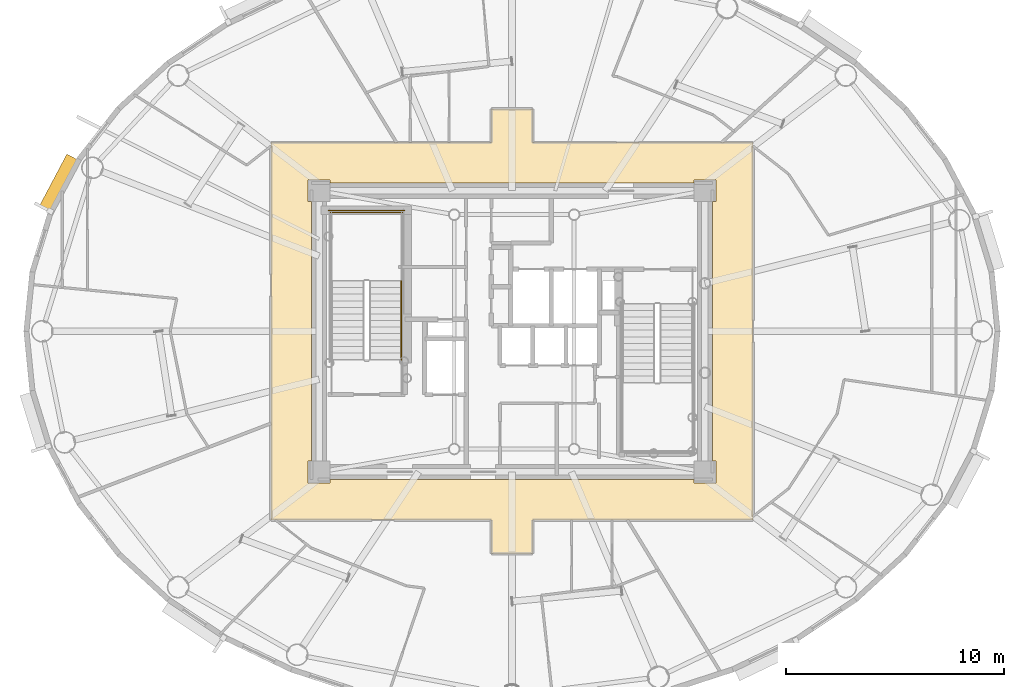
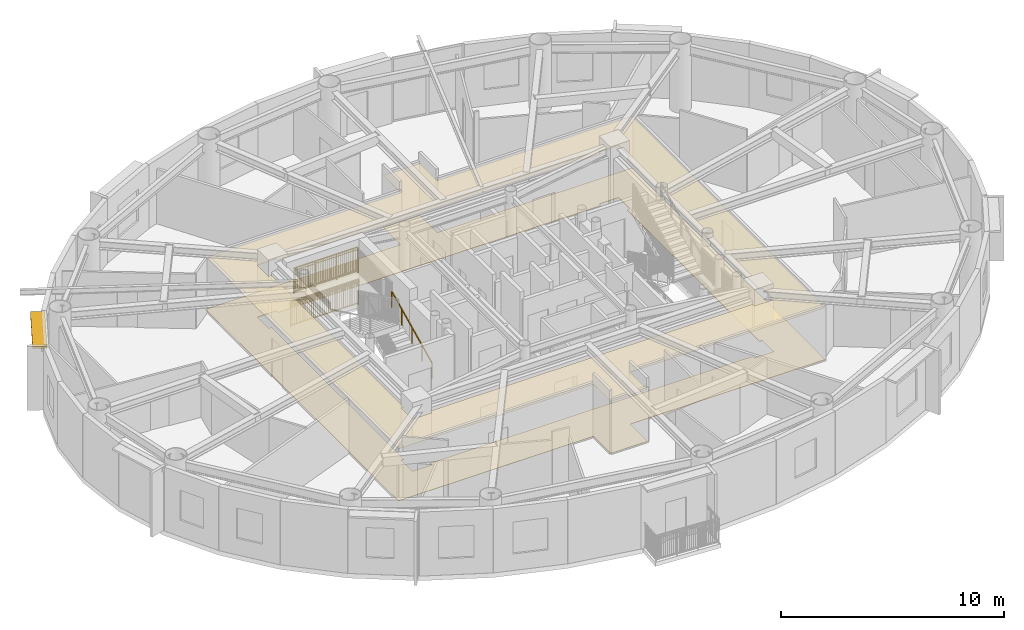
# One storey, part 17 of 20: 3 railings, 2 coverings, 1 shading device.
"""IFC4 building model written with IfcOpenShell, lengths in metres."""

from ifc_helpers import new_model, si_unit, direction, frame, origin, origin_2d, place, context, subcontext, project, spatial, polyline, rectangle, outline, extrude, source, transform, mapped, material, layer, layer_set, type_object, element, save


model = new_model("IFC4")

# Units and contexts
model_context = context("Model", 3, precision=1e-05, world=origin(), true_north=direction((0.0, 1.0)))
body_context = subcontext(model_context, "Body", "Model", "MODEL_VIEW")
ifc_project = project(units=[si_unit("LENGTHUNIT", "METRE"), si_unit("AREAUNIT", "SQUARE_METRE"), si_unit("VOLUMEUNIT", "CUBIC_METRE"), si_unit("PLANEANGLEUNIT", "RADIAN"), si_unit("MASSUNIT", "GRAM", prefix="KILO")], contexts=[model_context])

# Site, building, storey
site_placement = place(None, origin())
site = spatial("IfcSite", under=ifc_project, at=site_placement, CompositionType="ELEMENT")
building_placement = place(site_placement, origin())
building = spatial("IfcBuilding", under=site, at=building_placement, Name="Linh Dai School and Residence Tower", CompositionType="ELEMENT")
storey_placement = place(building_placement, frame((0.0, 0.0, 288.0)))
storey = spatial("IfcBuildingStorey", under=building, at=storey_placement, Name="L71", CompositionType="ELEMENT", Elevation=288.0)

# Coverings
ifc_material_1 = material(Name="Mineral Fibre Acoustic Suspended Ceiling", Category="masonry")
ifc_layer_1 = layer(ifc_material_1, 0.02001953125)
ifc_layer_set_1 = layer_set([ifc_layer_1], Name="Mineral Fibre Acoustic Suspended Ceiling")
covering_type_1 = type_object("IfcCoveringType", Name="COV-CEIL-AC-20", PredefinedType="CEILING", material=ifc_layer_set_1)
covering_1_placement = place(storey_placement, frame((0.0, 0.0, 2.85009765625)))
element("IfcCovering", 1, at=covering_1_placement, inside=storey, type_object=covering_type_1, Name="L71 Residential Floor Corridor Suspended Ceiling", PredefinedType="CEILING", context=body_context, shape_type="SweptSolid", body=[
    extrude(outline(polyline([(24.949951171875, 18.35009765625), (24.949951171875, 35.64990234375), (35.050048828125, 35.64990234375), (35.050048828125, 37.199951171875), (36.949951171875, 37.199951171875), (36.949951171875, 35.64990234375), (47.050048828125, 35.64990234375), (47.050048828125, 18.35009765625), (36.949951171875, 18.35009765625), (36.949951171875, 16.800048828125), (35.050048828125, 16.800048828125), (35.050048828125, 18.35009765625), (24.949951171875, 18.35009765625)]), holes=[polyline([(27.64990234375, 33.800048828125), (27.64990234375, 33.949951171875), (26.64990234375, 33.949951171875), (26.64990234375, 32.949951171875), (26.800048828125, 32.949951171875), (26.800048828125, 21.050048828125), (26.64990234375, 21.050048828125), (26.64990234375, 20.050048828125), (27.64990234375, 20.050048828125), (27.64990234375, 20.199951171875), (44.35009765625, 20.199951171875), (44.35009765625, 20.050048828125), (45.35009765625, 20.050048828125), (45.35009765625, 21.050048828125), (45.199951171875, 21.050048828125), (45.199951171875, 32.949951171875), (45.35009765625, 32.949951171875), (45.35009765625, 33.949951171875), (44.35009765625, 33.949951171875), (44.35009765625, 33.800048828125), (27.64990234375, 33.800048828125)])]), origin(), (0.0, 0.0, 1.0), 0.02001953125),
])
ifc_material_2 = material(Name="Polished Terrazzo Floor Finish", Category="masonry")
ifc_layer_2 = layer(ifc_material_2, 0.02490234375)
ifc_layer_set_2 = layer_set([ifc_layer_2], Name="Polished Terrazzo Floor Finish")
covering_type_2 = type_object("IfcCoveringType", Name="COV-FLR-TRZ-25", PredefinedType="FLOORING", material=ifc_layer_set_2)
covering_2_placement = place(storey_placement, origin())
element("IfcCovering", 2, at=covering_2_placement, inside=storey, type_object=covering_type_2, Name="L71 Residential Floor Corridor Floor Finish", PredefinedType="FLOORING", context=body_context, shape_type="SweptSolid", body=[
    extrude(outline(polyline([(24.949951171875, 18.35009765625), (24.949951171875, 35.64990234375), (35.050048828125, 35.64990234375), (35.050048828125, 37.199951171875), (36.949951171875, 37.199951171875), (36.949951171875, 35.64990234375), (47.050048828125, 35.64990234375), (47.050048828125, 18.35009765625), (36.949951171875, 18.35009765625), (36.949951171875, 16.800048828125), (35.050048828125, 16.800048828125), (35.050048828125, 18.35009765625), (24.949951171875, 18.35009765625)]), holes=[polyline([(27.64990234375, 33.800048828125), (27.64990234375, 33.949951171875), (26.64990234375, 33.949951171875), (26.64990234375, 32.949951171875), (26.800048828125, 32.949951171875), (26.800048828125, 21.050048828125), (26.64990234375, 21.050048828125), (26.64990234375, 20.050048828125), (27.64990234375, 20.050048828125), (27.64990234375, 20.199951171875), (44.35009765625, 20.199951171875), (44.35009765625, 20.050048828125), (45.35009765625, 20.050048828125), (45.35009765625, 21.050048828125), (45.199951171875, 21.050048828125), (45.199951171875, 32.949951171875), (45.35009765625, 32.949951171875), (45.35009765625, 33.949951171875), (44.35009765625, 33.949951171875), (44.35009765625, 33.800048828125), (27.64990234375, 33.800048828125)])]), origin(), (0.0, 0.0, 1.0), 0.02001953125),
])

# Shading device
ifc_material_3 = material(Name="Terracotta Ceramic Sunshade", Category="masonry")
ifc_layer_3 = layer(ifc_material_3, 0.10009765625)
ifc_layer_set_3 = layer_set([ifc_layer_3], Name="Terracotta Ceramic Sunshade")
shading_device_type = type_object("IfcShadingDeviceType", Name="SHD-TC-650", PredefinedType="USERDEFINED", material=ifc_layer_set_3)
shared_shape_1 = source(origin(), body_context, "Body", "SweptSolid", [
    extrude(rectangle(XDim=2.739501953125, YDim=0.64990234375, at=origin_2d()), origin(), (0.0, 0.0, 1.0), 0.10009765625),
])
shading_device_placement = place(storey_placement, frame((15.22705078125, 33.766845703125, 3.3798828125), z_axis=(0.0, 0.0, 1.0), x_axis=(0.467603531201, 0.883938310975, 0.0)))
element("IfcShadingDevice", 3, at=shading_device_placement, inside=storey, type_object=shading_device_type, Name="L71 Terracotta Horizontal Sunshade Band 18", ObjectType="SUNSHADE", PredefinedType="USERDEFINED", context=body_context, shape_type="MappedRepresentation", body=[
    mapped(shared_shape_1, transform((0.0, 0.0, 0.0), x_axis=(1.0, 0.0, 0.0), y_axis=(0.0, 1.0, 0.0), z_axis=(0.0, 0.0, 1.0), scale=1.0)),
])

# Railings
ifc_material_4 = material(Name="Structural Steel S355JR", Category="steel")
railing_type_1 = type_object("IfcRailingType", Name="RL-ST-GUARD-1400", PredefinedType="GUARDRAIL", material=ifc_material_4)
shared_shape_2 = source(origin(), body_context, "Body", "SweptSolid", [
    extrude(rectangle(XDim=0.048095703125, YDim=0.048095703125, at=origin_2d()), frame((0.0, 0.0, 1.3759765625), z_axis=(-1.0, 0.0, 0.0), x_axis=(0.0, -1.0, 0.0)), (0.0, 0.0, 1.0), 3.300048828125),
    extrude(rectangle(XDim=0.048095703125, YDim=0.048095703125, at=origin_2d()), frame((0.0, 0.0, 0.10009765625), z_axis=(-1.0, 0.0, 0.0), x_axis=(0.0, -1.0, 0.0)), (0.0, 0.0, 1.0), 3.300048828125),
    extrude(rectangle(XDim=0.030029296875, YDim=0.030029296875, at=origin_2d()), frame((0.0, 0.0, 1.239990234375), z_axis=(-1.0, 0.0, 0.0), x_axis=(0.0, -1.0, 0.0)), (0.0, 0.0, 1.0), 3.300048828125),
    extrude(rectangle(XDim=0.02001953125, YDim=0.02001953125, at=origin_2d()), frame((-0.09716796875, 0.0, 0.10009765625)), (0.0, 0.0, 1.0), 1.251708984375),
    extrude(rectangle(XDim=0.02001953125, YDim=0.02001953125, at=origin_2d()), frame((-0.194091796875, 0.0, 0.10009765625)), (0.0, 0.0, 1.0), 1.251708984375),
    extrude(rectangle(XDim=0.02001953125, YDim=0.02001953125, at=origin_2d()), frame((-0.291259765625, 0.0, 0.10009765625)), (0.0, 0.0, 1.0), 1.251708984375),
    extrude(rectangle(XDim=0.02001953125, YDim=0.02001953125, at=origin_2d()), frame((-0.38818359375, 0.0, 0.10009765625)), (0.0, 0.0, 1.0), 1.251708984375),
    extrude(rectangle(XDim=0.02001953125, YDim=0.02001953125, at=origin_2d()), frame((-0.4853515625, 0.0, 0.10009765625)), (0.0, 0.0, 1.0), 1.251708984375),
    extrude(rectangle(XDim=0.02001953125, YDim=0.02001953125, at=origin_2d()), frame((-0.582275390625, 0.0, 0.10009765625)), (0.0, 0.0, 1.0), 1.251708984375),
    extrude(rectangle(XDim=0.02001953125, YDim=0.02001953125, at=origin_2d()), frame((-0.679443359375, 0.0, 0.10009765625)), (0.0, 0.0, 1.0), 1.251708984375),
    extrude(rectangle(XDim=0.02001953125, YDim=0.02001953125, at=origin_2d()), frame((-0.7763671875, 0.0, 0.10009765625)), (0.0, 0.0, 1.0), 1.251708984375),
    extrude(rectangle(XDim=0.02001953125, YDim=0.02001953125, at=origin_2d()), frame((-0.87353515625, 0.0, 0.10009765625)), (0.0, 0.0, 1.0), 1.251708984375),
    extrude(rectangle(XDim=0.02001953125, YDim=0.02001953125, at=origin_2d()), frame((-0.970703125, 0.0, 0.10009765625)), (0.0, 0.0, 1.0), 1.251708984375),
    extrude(rectangle(XDim=0.02001953125, YDim=0.02001953125, at=origin_2d()), frame((-1.164794921875, 0.0, 0.10009765625)), (0.0, 0.0, 1.0), 1.251708984375),
    extrude(rectangle(XDim=0.02001953125, YDim=0.02001953125, at=origin_2d()), frame((-1.26171875, 0.0, 0.10009765625)), (0.0, 0.0, 1.0), 1.251708984375),
    extrude(rectangle(XDim=0.02001953125, YDim=0.02001953125, at=origin_2d()), frame((-1.35888671875, 0.0, 0.10009765625)), (0.0, 0.0, 1.0), 1.251708984375),
    extrude(rectangle(XDim=0.02001953125, YDim=0.02001953125, at=origin_2d()), frame((-1.455810546875, 0.0, 0.10009765625)), (0.0, 0.0, 1.0), 1.251708984375),
    extrude(rectangle(XDim=0.02001953125, YDim=0.02001953125, at=origin_2d()), frame((-1.552978515625, 0.0, 0.10009765625)), (0.0, 0.0, 1.0), 1.251708984375),
    extrude(rectangle(XDim=0.02001953125, YDim=0.02001953125, at=origin_2d()), frame((-1.64990234375, 0.0, 0.10009765625)), (0.0, 0.0, 1.0), 1.251708984375),
    extrude(rectangle(XDim=0.02001953125, YDim=0.02001953125, at=origin_2d()), frame((-1.7470703125, 0.0, 0.10009765625)), (0.0, 0.0, 1.0), 1.251708984375),
    extrude(rectangle(XDim=0.02001953125, YDim=0.02001953125, at=origin_2d()), frame((-1.84423828125, 0.0, 0.10009765625)), (0.0, 0.0, 1.0), 1.251708984375),
    extrude(rectangle(XDim=0.02001953125, YDim=0.02001953125, at=origin_2d()), frame((-1.941162109375, 0.0, 0.10009765625)), (0.0, 0.0, 1.0), 1.251708984375),
    extrude(rectangle(XDim=0.02001953125, YDim=0.02001953125, at=origin_2d()), frame((-2.038330078125, 0.0, 0.10009765625)), (0.0, 0.0, 1.0), 1.251708984375),
    extrude(rectangle(XDim=0.02001953125, YDim=0.02001953125, at=origin_2d()), frame((-2.13525390625, 0.0, 0.10009765625)), (0.0, 0.0, 1.0), 1.251708984375),
    extrude(rectangle(XDim=0.02001953125, YDim=0.02001953125, at=origin_2d()), frame((-2.329345703125, 0.0, 0.10009765625)), (0.0, 0.0, 1.0), 1.251708984375),
    extrude(rectangle(XDim=0.02001953125, YDim=0.02001953125, at=origin_2d()), frame((-2.426513671875, 0.0, 0.10009765625)), (0.0, 0.0, 1.0), 1.251708984375),
    extrude(rectangle(XDim=0.02001953125, YDim=0.02001953125, at=origin_2d()), frame((-2.523681640625, 0.0, 0.10009765625)), (0.0, 0.0, 1.0), 1.251708984375),
    extrude(rectangle(XDim=0.02001953125, YDim=0.02001953125, at=origin_2d()), frame((-2.62060546875, 0.0, 0.10009765625)), (0.0, 0.0, 1.0), 1.251708984375),
    extrude(rectangle(XDim=0.02001953125, YDim=0.02001953125, at=origin_2d()), frame((-2.7177734375, 0.0, 0.10009765625)), (0.0, 0.0, 1.0), 1.251708984375),
    extrude(rectangle(XDim=0.02001953125, YDim=0.02001953125, at=origin_2d()), frame((-2.814697265625, 0.0, 0.10009765625)), (0.0, 0.0, 1.0), 1.251708984375),
    extrude(rectangle(XDim=0.02001953125, YDim=0.02001953125, at=origin_2d()), frame((-2.911865234375, 0.0, 0.10009765625)), (0.0, 0.0, 1.0), 1.251708984375),
    extrude(rectangle(XDim=0.02001953125, YDim=0.02001953125, at=origin_2d()), frame((-3.0087890625, 0.0, 0.10009765625)), (0.0, 0.0, 1.0), 1.251708984375),
    extrude(rectangle(XDim=0.02001953125, YDim=0.02001953125, at=origin_2d()), frame((-3.10595703125, 0.0, 0.10009765625)), (0.0, 0.0, 1.0), 1.251708984375),
    extrude(rectangle(XDim=0.02001953125, YDim=0.02001953125, at=origin_2d()), frame((-3.202880859375, 0.0, 0.10009765625)), (0.0, 0.0, 1.0), 1.251708984375),
    extrude(rectangle(XDim=0.0419921875, YDim=0.0419921875, at=origin_2d()), origin(), (0.0, 0.0, 1.0), 1.3759765625),
    extrude(rectangle(XDim=0.0419921875, YDim=0.0419921875, at=origin_2d()), frame((-1.10009765625, 0.0, 0.0)), (0.0, 0.0, 1.0), 1.3759765625),
    extrude(rectangle(XDim=0.0419921875, YDim=0.0419921875, at=origin_2d()), frame((-2.199951171875, 0.0, 0.0)), (0.0, 0.0, 1.0), 1.3759765625),
    extrude(rectangle(XDim=0.0419921875, YDim=0.0419921875, at=origin_2d()), frame((-3.300048828125, 0.0, 0.0)), (0.0, 0.0, 1.0), 1.3759765625),
])
railing_1_placement = place(storey_placement, frame((30.97998046875, 32.449951171875, 1.875)))
element("IfcRailing", 4, at=railing_1_placement, inside=storey, type_object=railing_type_1, Name="L71 ST1 stair guard 5", PredefinedType="GUARDRAIL", context=body_context, shape_type="MappedRepresentation", body=[
    mapped(shared_shape_2, transform((0.0, 0.0, 0.0), x_axis=(1.0, 0.0, 0.0), y_axis=(0.0, 1.0, 0.0), z_axis=(0.0, 0.0, 1.0), scale=1.0)),
])
shared_shape_3 = source(origin(), body_context, "Body", "SweptSolid", [
    extrude(rectangle(XDim=0.048095703125, YDim=0.048095703125, at=origin_2d()), frame((0.0, 0.0, 1.3759765625), z_axis=(-1.0, 0.0, 0.0), x_axis=(0.0, -1.0, 0.0)), (0.0, 0.0, 1.0), 3.5),
    extrude(rectangle(XDim=0.048095703125, YDim=0.048095703125, at=origin_2d()), frame((0.0, 0.0, 0.10009765625), z_axis=(-1.0, 0.0, 0.0), x_axis=(0.0, -1.0, 0.0)), (0.0, 0.0, 1.0), 3.5),
    extrude(rectangle(XDim=0.030029296875, YDim=0.030029296875, at=origin_2d()), frame((0.0, 0.0, 1.239990234375), z_axis=(-1.0, 0.0, 0.0), x_axis=(0.0, -1.0, 0.0)), (0.0, 0.0, 1.0), 3.5),
    extrude(rectangle(XDim=0.02001953125, YDim=0.02001953125, at=origin_2d()), frame((-0.09716796875, 0.0, 0.10009765625)), (0.0, 0.0, 1.0), 1.251708984375),
    extrude(rectangle(XDim=0.02001953125, YDim=0.02001953125, at=origin_2d()), frame((-0.1943359375, 0.0, 0.10009765625)), (0.0, 0.0, 1.0), 1.251708984375),
    extrude(rectangle(XDim=0.02001953125, YDim=0.02001953125, at=origin_2d()), frame((-0.291748046875, 0.0, 0.10009765625)), (0.0, 0.0, 1.0), 1.251708984375),
    extrude(rectangle(XDim=0.02001953125, YDim=0.02001953125, at=origin_2d()), frame((-0.388916015625, 0.0, 0.10009765625)), (0.0, 0.0, 1.0), 1.251708984375),
    extrude(rectangle(XDim=0.02001953125, YDim=0.02001953125, at=origin_2d()), frame((-0.486083984375, 0.0, 0.10009765625)), (0.0, 0.0, 1.0), 1.251708984375),
    extrude(rectangle(XDim=0.02001953125, YDim=0.02001953125, at=origin_2d()), frame((-0.583251953125, 0.0, 0.10009765625)), (0.0, 0.0, 1.0), 1.251708984375),
    extrude(rectangle(XDim=0.02001953125, YDim=0.02001953125, at=origin_2d()), frame((-0.6806640625, 0.0, 0.10009765625)), (0.0, 0.0, 1.0), 1.251708984375),
    extrude(rectangle(XDim=0.02001953125, YDim=0.02001953125, at=origin_2d()), frame((-0.77783203125, 0.0, 0.10009765625)), (0.0, 0.0, 1.0), 1.251708984375),
    extrude(rectangle(XDim=0.02001953125, YDim=0.02001953125, at=origin_2d()), frame((-0.875, 0.0, 0.10009765625)), (0.0, 0.0, 1.0), 1.251708984375),
    extrude(rectangle(XDim=0.02001953125, YDim=0.02001953125, at=origin_2d()), frame((-0.97216796875, 0.0, 0.10009765625)), (0.0, 0.0, 1.0), 1.251708984375),
    extrude(rectangle(XDim=0.02001953125, YDim=0.02001953125, at=origin_2d()), frame((-1.0693359375, 0.0, 0.10009765625)), (0.0, 0.0, 1.0), 1.251708984375),
    extrude(rectangle(XDim=0.02001953125, YDim=0.02001953125, at=origin_2d()), frame((-1.263916015625, 0.0, 0.10009765625)), (0.0, 0.0, 1.0), 1.251708984375),
    extrude(rectangle(XDim=0.02001953125, YDim=0.02001953125, at=origin_2d()), frame((-1.361083984375, 0.0, 0.10009765625)), (0.0, 0.0, 1.0), 1.251708984375),
    extrude(rectangle(XDim=0.02001953125, YDim=0.02001953125, at=origin_2d()), frame((-1.458251953125, 0.0, 0.10009765625)), (0.0, 0.0, 1.0), 1.251708984375),
    extrude(rectangle(XDim=0.02001953125, YDim=0.02001953125, at=origin_2d()), frame((-1.5556640625, 0.0, 0.10009765625)), (0.0, 0.0, 1.0), 1.251708984375),
    extrude(rectangle(XDim=0.02001953125, YDim=0.02001953125, at=origin_2d()), frame((-1.65283203125, 0.0, 0.10009765625)), (0.0, 0.0, 1.0), 1.251708984375),
    extrude(rectangle(XDim=0.02001953125, YDim=0.02001953125, at=origin_2d()), frame((-1.75, 0.0, 0.10009765625)), (0.0, 0.0, 1.0), 1.251708984375),
    extrude(rectangle(XDim=0.02001953125, YDim=0.02001953125, at=origin_2d()), frame((-1.84716796875, 0.0, 0.10009765625)), (0.0, 0.0, 1.0), 1.251708984375),
    extrude(rectangle(XDim=0.02001953125, YDim=0.02001953125, at=origin_2d()), frame((-1.9443359375, 0.0, 0.10009765625)), (0.0, 0.0, 1.0), 1.251708984375),
    extrude(rectangle(XDim=0.02001953125, YDim=0.02001953125, at=origin_2d()), frame((-2.041748046875, 0.0, 0.10009765625)), (0.0, 0.0, 1.0), 1.251708984375),
    extrude(rectangle(XDim=0.02001953125, YDim=0.02001953125, at=origin_2d()), frame((-2.138916015625, 0.0, 0.10009765625)), (0.0, 0.0, 1.0), 1.251708984375),
    extrude(rectangle(XDim=0.02001953125, YDim=0.02001953125, at=origin_2d()), frame((-2.236083984375, 0.0, 0.10009765625)), (0.0, 0.0, 1.0), 1.251708984375),
    extrude(rectangle(XDim=0.02001953125, YDim=0.02001953125, at=origin_2d()), frame((-2.4306640625, 0.0, 0.10009765625)), (0.0, 0.0, 1.0), 1.251708984375),
    extrude(rectangle(XDim=0.02001953125, YDim=0.02001953125, at=origin_2d()), frame((-2.52783203125, 0.0, 0.10009765625)), (0.0, 0.0, 1.0), 1.251708984375),
    extrude(rectangle(XDim=0.02001953125, YDim=0.02001953125, at=origin_2d()), frame((-2.625, 0.0, 0.10009765625)), (0.0, 0.0, 1.0), 1.251708984375),
    extrude(rectangle(XDim=0.02001953125, YDim=0.02001953125, at=origin_2d()), frame((-2.72216796875, 0.0, 0.10009765625)), (0.0, 0.0, 1.0), 1.251708984375),
    extrude(rectangle(XDim=0.02001953125, YDim=0.02001953125, at=origin_2d()), frame((-2.8193359375, 0.0, 0.10009765625)), (0.0, 0.0, 1.0), 1.251708984375),
    extrude(rectangle(XDim=0.02001953125, YDim=0.02001953125, at=origin_2d()), frame((-2.916748046875, 0.0, 0.10009765625)), (0.0, 0.0, 1.0), 1.251708984375),
    extrude(rectangle(XDim=0.02001953125, YDim=0.02001953125, at=origin_2d()), frame((-3.013916015625, 0.0, 0.10009765625)), (0.0, 0.0, 1.0), 1.251708984375),
    extrude(rectangle(XDim=0.02001953125, YDim=0.02001953125, at=origin_2d()), frame((-3.111083984375, 0.0, 0.10009765625)), (0.0, 0.0, 1.0), 1.251708984375),
    extrude(rectangle(XDim=0.02001953125, YDim=0.02001953125, at=origin_2d()), frame((-3.208251953125, 0.0, 0.10009765625)), (0.0, 0.0, 1.0), 1.251708984375),
    extrude(rectangle(XDim=0.02001953125, YDim=0.02001953125, at=origin_2d()), frame((-3.3056640625, 0.0, 0.10009765625)), (0.0, 0.0, 1.0), 1.251708984375),
    extrude(rectangle(XDim=0.02001953125, YDim=0.02001953125, at=origin_2d()), frame((-3.40283203125, 0.0, 0.10009765625)), (0.0, 0.0, 1.0), 1.251708984375),
    extrude(rectangle(XDim=0.0419921875, YDim=0.0419921875, at=origin_2d()), origin(), (0.0, 0.0, 1.0), 1.3759765625),
    extrude(rectangle(XDim=0.0419921875, YDim=0.0419921875, at=origin_2d()), frame((-1.166748046875, 0.0, 0.0)), (0.0, 0.0, 1.0), 1.3759765625),
    extrude(rectangle(XDim=0.0419921875, YDim=0.0419921875, at=origin_2d()), frame((-2.333251953125, 0.0, 0.0)), (0.0, 0.0, 1.0), 1.3759765625),
    extrude(rectangle(XDim=0.0419921875, YDim=0.0419921875, at=origin_2d()), frame((-3.5, 0.0, 0.0)), (0.0, 0.0, 1.0), 1.3759765625),
])
railing_2_placement = place(storey_placement, frame((31.080078125, 32.550048828125, 0.0)))
element("IfcRailing", 5, at=railing_2_placement, inside=storey, type_object=railing_type_1, Name="L71 ST1 stair guard 12", PredefinedType="GUARDRAIL", context=body_context, shape_type="MappedRepresentation", body=[
    mapped(shared_shape_3, transform((0.0, 0.0, 0.0), x_axis=(1.0, 0.0, 0.0), y_axis=(0.0, 1.0, 0.0), z_axis=(0.0, 0.0, 1.0), scale=1.0)),
])
ifc_material_5 = material(Name="Brushed Stainless Steel Handrail", Category="steel")
railing_type_2 = type_object("IfcRailingType", Name="RL-ST-HANDRAIL-900", PredefinedType="HANDRAIL", material=ifc_material_5)
shared_shape_4 = source(origin(), body_context, "Body", "SweptSolid", [
    extrude(rectangle(XDim=0.048095703125, YDim=0.048095703125, at=origin_2d()), frame((0.0, 0.0, 0.8759765625), z_axis=(0.0, 0.901262522062, 0.433273431364), x_axis=(-1.0, 0.0, 0.0)), (0.0, 0.0, 1.0), 3.994384765625),
    extrude(rectangle(XDim=0.0419921875, YDim=0.0419921875, at=origin_2d()), origin(), (0.0, 0.0, 1.0), 0.8759765625),
    extrude(rectangle(XDim=0.0419921875, YDim=0.0419921875, at=origin_2d()), frame((0.0, 0.89990234375, 0.4326171875)), (0.0, 0.0, 1.0), 0.8759765625),
    extrude(rectangle(XDim=0.0419921875, YDim=0.0419921875, at=origin_2d()), frame((0.0, 1.800048828125, 0.865234375)), (0.0, 0.0, 1.0), 0.8759765625),
    extrude(rectangle(XDim=0.0419921875, YDim=0.0419921875, at=origin_2d()), frame((0.0, 2.7001953125, 1.298095703125)), (0.0, 0.0, 1.0), 0.8759765625),
    extrude(rectangle(XDim=0.0419921875, YDim=0.0419921875, at=origin_2d()), frame((0.0, 3.60009765625, 1.730712890625)), (0.0, 0.0, 1.0), 0.8759765625),
])
railing_3_placement = place(storey_placement, frame((30.929931640625, 25.699951171875, 0.144287109375)))
element("IfcRailing", 6, at=railing_3_placement, inside=storey, type_object=railing_type_2, Name="L71 ST1 stair handrail 1", PredefinedType="HANDRAIL", context=body_context, shape_type="MappedRepresentation", body=[
    mapped(shared_shape_4, transform((0.0, 0.0, 0.0), x_axis=(1.0, 0.0, 0.0), y_axis=(0.0, 1.0, 0.0), z_axis=(0.0, 0.0, 1.0), scale=1.0)),
])

save(model, "model.ifc")
